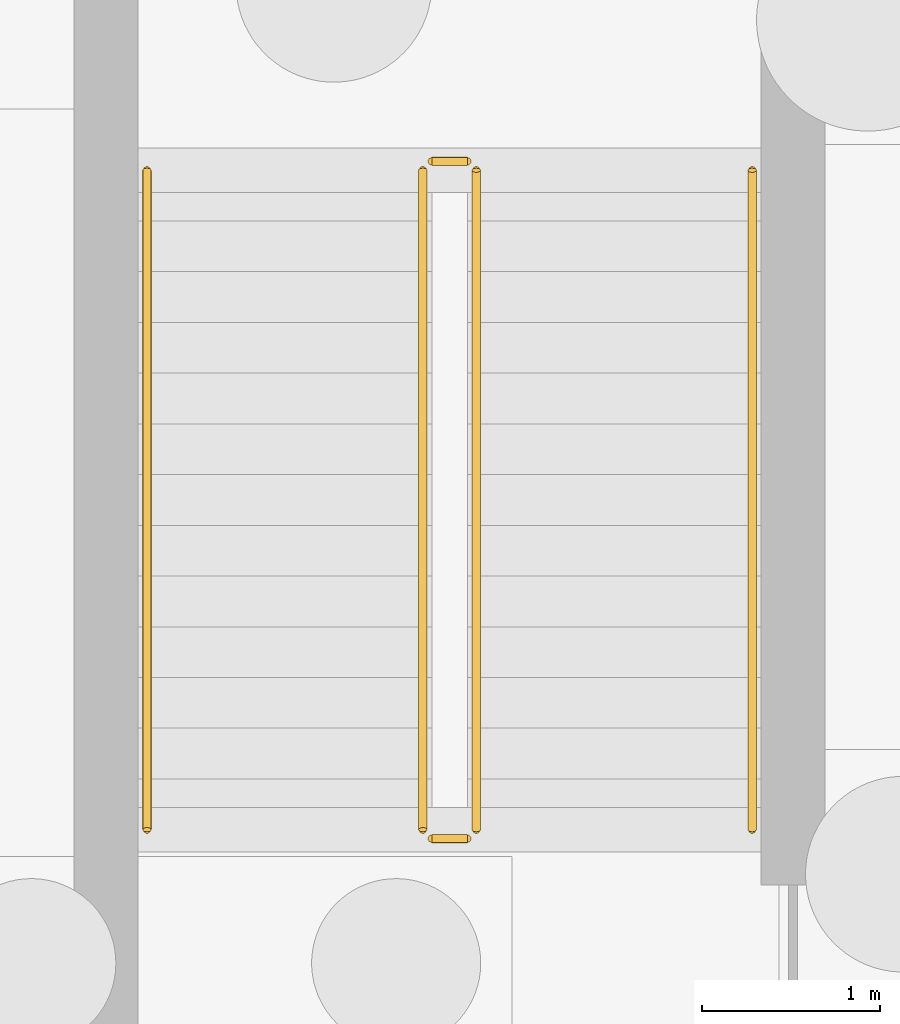
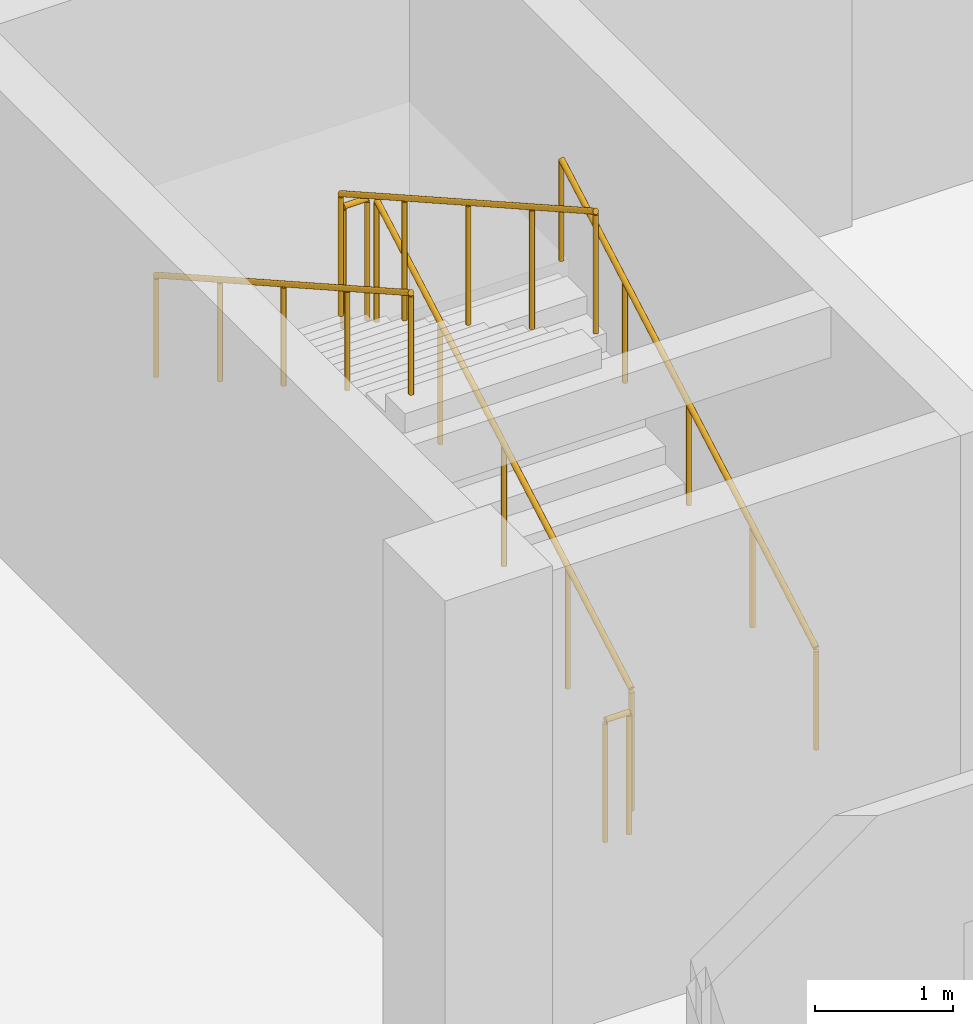
# One storey, part 23 of 25: 6 railings.
"""IFC4 building model written with IfcOpenShell, lengths in metres."""

import ifcopenshell
import ifcopenshell.guid

model = None  # the IFC model being written
_history = None  # IfcOwnerHistory: only IFC2X3 demands one
_inside = {}  # id of a spatial element -> (the spatial element, [elements in it])
_under = {}  # id of a project, library or spatial element -> (it, [spatial elements below it])
_declared = {}  # id of a project -> (the project, [libraries it declares])
_typed = {}  # id of a type object -> (the type object, [elements of that type])
_made_of = {}  # id of a material, layer set ... -> (it, [elements and type objects made of it])


def new_model(schema):
    """Start an empty IFC model of exactly this schema.

    Asked for "IFC4X3", IfcOpenShell would pick the latest addendum, in which some entities
    have other attributes; the version numbers below select the first issue.
    IFC2X3 requires an IfcOwnerHistory on every rooted entity: one is made here for all.
    """
    global model, _history
    if schema == "IFC4X3":
        model = ifcopenshell.file(schema_version=(4, 3, 0, 0))
    else:
        model = ifcopenshell.file(schema=schema)
    _inside.clear()
    _under.clear()
    _declared.clear()
    _typed.clear()
    _made_of.clear()
    _history = None
    if model.schema == "IFC2X3":
        org = make("IfcOrganization", Name="unknown")
        user = make(
            "IfcPersonAndOrganization",
            ThePerson=make("IfcPerson", FamilyName="unknown"),
            TheOrganization=org,
        )
        app = make(
            "IfcApplication",
            ApplicationDeveloper=org,
            Version="unknown",
            ApplicationFullName="unknown",
            ApplicationIdentifier="unknown",
        )
        _history = make(
            "IfcOwnerHistory",
            OwningUser=user,
            OwningApplication=app,
            ChangeAction="ADDED",
            CreationDate=0,
        )
    return model


def make(cls, **values):
    """One entity of the class cls with the attributes given. An attribute that is None is left unset."""
    return model.create_entity(
        cls, **{name: value for name, value in values.items() if value is not None}
    )


def rooted(cls, **values):
    """An entity with a GlobalId (a new one), such as an element, a storey or a relation."""
    return make(cls, GlobalId=ifcopenshell.guid.new(), OwnerHistory=_history, **values)


def si_unit(unit_type, name, prefix=None):
    """IfcSIUnit, for example si_unit("LENGTHUNIT", "METRE", prefix="MILLI")."""
    return make("IfcSIUnit", UnitType=unit_type, Prefix=prefix, Name=name)


def assignment(units):
    """IfcUnitAssignment: the units of a project."""
    return None if units is None else make("IfcUnitAssignment", Units=units)


def point(xyz):
    """IfcCartesianPoint."""
    return None if xyz is None else make("IfcCartesianPoint", Coordinates=xyz)


def direction(xyz):
    """IfcDirection."""
    return None if xyz is None else make("IfcDirection", DirectionRatios=xyz)


def frame(location, z_axis=None, x_axis=None):
    """IfcAxis2Placement3D, a coordinate frame: its origin and axes. An axis left out is left unset."""
    return make(
        "IfcAxis2Placement3D",
        Location=point(location),
        Axis=direction(z_axis),
        RefDirection=direction(x_axis),
    )


def frame_2d(location, x_axis=None):
    """IfcAxis2Placement2D, a coordinate frame in the plane: its origin and x axis."""
    return make(
        "IfcAxis2Placement2D", Location=point(location), RefDirection=direction(x_axis)
    )


def origin():
    """The frame at (0, 0, 0) with its axes left unset."""
    return frame((0.0, 0.0, 0.0))


def origin_2d():
    """The frame at (0, 0) in the plane with its x axis left unset."""
    return frame_2d((0.0, 0.0))


def place(relative_to, where):
    """IfcLocalPlacement: puts the frame where relative to a parent placement (None: the world)."""
    return make(
        "IfcLocalPlacement", PlacementRelTo=relative_to, RelativePlacement=where
    )


def context(
    kind, dimensions, precision=None, world=None, true_north=None, identifier=None
):
    """IfcGeometricRepresentationContext, for example the 3D "Model" context."""
    return make(
        "IfcGeometricRepresentationContext",
        ContextIdentifier=identifier,
        ContextType=kind,
        CoordinateSpaceDimension=dimensions,
        Precision=precision,
        WorldCoordinateSystem=world,
        TrueNorth=true_north,
    )


def subcontext(parent, identifier, kind, view, scale=None):
    """IfcGeometricRepresentationSubContext, for example "Body" below "Model"."""
    return make(
        "IfcGeometricRepresentationSubContext",
        ContextIdentifier=identifier,
        ContextType=kind,
        ParentContext=parent,
        TargetScale=scale,
        TargetView=view,
    )


def project(units=None, contexts=None):
    """IfcProject with its units and contexts."""
    return rooted(
        "IfcProject",
        Name="project",
        RepresentationContexts=contexts,
        UnitsInContext=assignment(units),
    )


def spatial(cls, under=None, at=None, **own):
    """A site, building, storey or space (cls), placed at a placement, below another one or the project."""
    s = rooted(cls, ObjectPlacement=at, **own)
    if under is not None:
        _under.setdefault(under.id(), (under, []))[1].append(s)
    return s


def profile(cls, at=None, kind="AREA", **sizes):
    """A parametric profile (cls). Its sizes go by their IFC names, for example OverallWidth=200.0."""
    return make(cls, ProfileType=kind, Position=at, **sizes)


def circle(**sizes):
    """IfcCircleProfileDef."""
    return profile("IfcCircleProfileDef", **sizes)


def extrude(swept, where, along, depth):
    """IfcExtrudedAreaSolid: the profile swept, set in the frame where, extruded along a direction by depth."""
    return make(
        "IfcExtrudedAreaSolid",
        SweptArea=swept,
        Position=where,
        ExtrudedDirection=direction(along),
        Depth=depth,
    )


def shape(context_of_items, identifier, shape_type, items):
    """IfcShapeRepresentation: the items that make up one representation, for example the "Body"."""
    return make(
        "IfcShapeRepresentation",
        ContextOfItems=context_of_items,
        RepresentationIdentifier=identifier,
        RepresentationType=shape_type,
        Items=items,
    )


def material(Name=None, Category=None):
    """IfcMaterial."""
    return make("IfcMaterial", Name=Name, Category=Category)


def made_of(thing, what):
    """Note that an element or type object is made of a material, layer set ...; save() writes the relation."""
    if what is not None:
        _made_of.setdefault(what.id(), (what, []))[1].append(thing)
    return thing


def type_object(cls, material=None, **own):
    """A type object (cls), such as IfcWallType, which elements share."""
    return made_of(rooted(cls, **own), material)


def element(
    cls,
    number,
    at=None,
    inside=None,
    cuts=None,
    type_object=None,
    material=None,
    context=None,
    identifier="Body",
    shape_type=None,
    held_by="IfcProductDefinitionShape",
    body=None,
    shapes=None,
    **own,
):
    """One element of the class cls, such as IfcWall. Its Tag is "e" and its number.

    at: its placement. inside: the storey or other place that contains it. cuts: it is an
    opening in that element (IfcRelVoidsElement). A single representation is given by context,
    identifier, shape_type and body (its items); several are given by shapes. held_by: the class
    of the entity that holds the representations. save() writes the other relations.
    """
    e = rooted(cls, Tag="e%d" % number, ObjectPlacement=at, **own)
    if body is not None:
        shapes = [shape(context, identifier, shape_type, body)]
    if shapes is not None:
        e.Representation = make(held_by, Representations=shapes)
    if inside is not None:
        _inside.setdefault(inside.id(), (inside, []))[1].append(e)
    if cuts is not None:
        rooted(
            "IfcRelVoidsElement", RelatingBuildingElement=cuts, RelatedOpeningElement=e
        )
    if type_object is not None:
        _typed.setdefault(type_object.id(), (type_object, []))[1].append(e)
    return made_of(e, material)


def aggregate(whole, parts):
    """IfcRelAggregates: a whole, such as a stair, and the parts it consists of."""
    return rooted("IfcRelAggregates", RelatingObject=whole, RelatedObjects=parts)


def save(model, path):
    """Write the relations noted so far, then the file.

    IfcRelAggregates (storeys below a building ...), IfcRelContainedInSpatialStructure (elements
    in a storey), IfcRelDefinesByType, IfcRelAssociatesMaterial and IfcRelDeclares: one each for
    every whole, place, type object, material and project.
    """
    for whole, parts in _under.values():
        aggregate(whole, parts)
    for where, things in _inside.values():
        rooted(
            "IfcRelContainedInSpatialStructure",
            RelatedElements=things,
            RelatingStructure=where,
        )
    for kind, things in _typed.values():
        rooted("IfcRelDefinesByType", RelatedObjects=things, RelatingType=kind)
    for what, things in _made_of.values():
        rooted("IfcRelAssociatesMaterial", RelatedObjects=things, RelatingMaterial=what)
    for by, libraries in _declared.values():
        rooted("IfcRelDeclares", RelatingContext=by, RelatedDefinitions=libraries)
    model.write(path)


model = new_model("IFC4")

# Units and contexts
model_context = context("Model", 3, precision=1e-05, world=origin(), true_north=direction((0.0, 1.0)))
body_context = subcontext(model_context, "Body", "Model", "MODEL_VIEW")
ifc_project = project(units=[si_unit("LENGTHUNIT", "METRE"), si_unit("AREAUNIT", "SQUARE_METRE"), si_unit("VOLUMEUNIT", "CUBIC_METRE"), si_unit("PLANEANGLEUNIT", "RADIAN"), si_unit("MASSUNIT", "GRAM", prefix="KILO")], contexts=[model_context])

# Site, building, storey
site_placement = place(None, origin())
site = spatial("IfcSite", under=ifc_project, at=site_placement, CompositionType="ELEMENT")
building_placement = place(site_placement, origin())
building = spatial("IfcBuilding", under=site, at=building_placement, Name="Qaldarim Faculty of Natural and Applied Sciences", CompositionType="ELEMENT")
storey_placement = place(building_placement, frame((0.0, 0.0, -4.5)))
storey = spatial("IfcBuildingStorey", under=building, at=storey_placement, Name="B01", CompositionType="ELEMENT", Elevation=-4.5)

# Railings
ifc_material = material(Name="Architectural stainless steel 316", Category="steel")
railing_type_1 = type_object("IfcRailingType", Name="GuardBalustrade-1100", PredefinedType="BALUSTRADE", material=ifc_material)
railing_1_placement = place(storey_placement, frame((167.5, 18.75, 0.159912109375)))
element("IfcRailing", 1, at=railing_1_placement, inside=storey, type_object=railing_type_1, Name="ST-A1 B01 stair well guard 1", PredefinedType="BALUSTRADE", context=body_context, shape_type="SweptSolid", body=[
    extrude(circle(Radius=0.02392578125, at=origin_2d()), frame((0.0, 0.0, 1.076171875), z_axis=(0.0, 0.870974059579, 0.491329001322), x_axis=(-1.0, 0.0, 0.0)), (0.0, 0.0, 1.0), 4.25390625),
    extrude(circle(Radius=0.02099609375, at=origin_2d()), origin(), (0.0, 0.0, 1.0), 1.052001953125),
    extrude(circle(Radius=0.02099609375, at=origin_2d()), frame((0.0, 0.92626953125, 0.5224609375)), (0.0, 0.0, 1.0), 1.052001953125),
    extrude(circle(Radius=0.02099609375, at=origin_2d()), frame((0.0, 1.8525390625, 1.044921875)), (0.0, 0.0, 1.0), 1.052001953125),
    extrude(circle(Radius=0.02099609375, at=origin_2d()), frame((0.0, 2.77880859375, 1.567626953125)), (0.0, 0.0, 1.0), 1.052001953125),
    extrude(circle(Radius=0.02099609375, at=origin_2d()), frame((0.0, 3.705078125, 2.090087890625)), (0.0, 0.0, 1.0), 1.052001953125),
])
railing_2_placement = place(storey_placement, frame((167.449951171875, 22.5048828125, 2.25)))
element("IfcRailing", 2, at=railing_2_placement, inside=storey, type_object=railing_type_1, Name="ST-A1 B01 stair well guard 2", PredefinedType="BALUSTRADE", context=body_context, shape_type="SweptSolid", body=[
    extrude(circle(Radius=0.02392578125, at=origin_2d()), frame((0.0, 0.0, 1.076171875), z_axis=(-1.0, 0.0, 0.0), x_axis=(0.0, -1.0, 0.0)), (0.0, 0.0, 1.0), 0.199951171875),
    extrude(circle(Radius=0.02099609375, at=origin_2d()), origin(), (0.0, 0.0, 1.0), 1.052001953125),
    extrude(circle(Radius=0.02099609375, at=origin_2d()), frame((-0.199951171875, 0.0, 0.0)), (0.0, 0.0, 1.0), 1.052001953125),
])
railing_3_placement = place(storey_placement, frame((167.199951171875, 22.455078125, 2.409912109375)))
element("IfcRailing", 3, at=railing_3_placement, inside=storey, type_object=railing_type_1, Name="ST-A1 B01 stair well guard 3", PredefinedType="BALUSTRADE", context=body_context, shape_type="SweptSolid", body=[
    extrude(circle(Radius=0.02392578125, at=origin_2d()), frame((0.0, 0.0, 1.076171875), z_axis=(0.0, -0.870974059579, 0.491329001322), x_axis=(1.0, 0.0, 0.0)), (0.0, 0.0, 1.0), 4.25390625),
    extrude(circle(Radius=0.02099609375, at=origin_2d()), origin(), (0.0, 0.0, 1.0), 1.052001953125),
    extrude(circle(Radius=0.02099609375, at=origin_2d()), frame((0.0, -0.92626953125, 0.5224609375)), (0.0, 0.0, 1.0), 1.052001953125),
    extrude(circle(Radius=0.02099609375, at=origin_2d()), frame((0.0, -1.8525390625, 1.044921875)), (0.0, 0.0, 1.0), 1.052001953125),
    extrude(circle(Radius=0.02099609375, at=origin_2d()), frame((0.0, -2.77880859375, 1.567626953125)), (0.0, 0.0, 1.0), 1.052001953125),
    extrude(circle(Radius=0.02099609375, at=origin_2d()), frame((0.0, -3.705078125, 2.090087890625)), (0.0, 0.0, 1.0), 1.052001953125),
])
railing_4_placement = place(storey_placement, frame((167.449951171875, 18.699951171875, 0.0)))
element("IfcRailing", 4, at=railing_4_placement, inside=storey, type_object=railing_type_1, Name="ST-A1 B01 stair well guard 4", PredefinedType="BALUSTRADE", context=body_context, shape_type="SweptSolid", body=[
    extrude(circle(Radius=0.02392578125, at=origin_2d()), frame((0.0, 0.0, 1.076171875), z_axis=(-1.0, 0.0, 0.0), x_axis=(0.0, -1.0, 0.0)), (0.0, 0.0, 1.0), 0.199951171875),
    extrude(circle(Radius=0.02099609375, at=origin_2d()), origin(), (0.0, 0.0, 1.0), 1.052001953125),
    extrude(circle(Radius=0.02099609375, at=origin_2d()), frame((-0.199951171875, 0.0, 0.0)), (0.0, 0.0, 1.0), 1.052001953125),
])
railing_type_2 = type_object("IfcRailingType", Name="StairHandrail-920", PredefinedType="HANDRAIL", material=ifc_material)
railing_5_placement = place(storey_placement, frame((169.050048828125, 18.75, 0.159912109375)))
element("IfcRailing", 5, at=railing_5_placement, inside=storey, type_object=railing_type_2, Name="ST-A1 B01 stair handrail 1", PredefinedType="HANDRAIL", context=body_context, shape_type="SweptSolid", body=[
    extrude(circle(Radius=0.02392578125, at=origin_2d()), frame((0.0, 0.0, 0.89599609375), z_axis=(0.0, 0.870974059579, 0.491329001322), x_axis=(-1.0, 0.0, 0.0)), (0.0, 0.0, 1.0), 4.25390625),
    extrude(circle(Radius=0.02099609375, at=origin_2d()), origin(), (0.0, 0.0, 1.0), 0.871826171875),
    extrude(circle(Radius=0.02099609375, at=origin_2d()), frame((0.0, 0.92626953125, 0.5224609375)), (0.0, 0.0, 1.0), 0.871826171875),
    extrude(circle(Radius=0.02099609375, at=origin_2d()), frame((0.0, 1.8525390625, 1.044921875)), (0.0, 0.0, 1.0), 0.871826171875),
    extrude(circle(Radius=0.02099609375, at=origin_2d()), frame((0.0, 2.77880859375, 1.567626953125)), (0.0, 0.0, 1.0), 0.871826171875),
    extrude(circle(Radius=0.02099609375, at=origin_2d()), frame((0.0, 3.705078125, 2.090087890625)), (0.0, 0.0, 1.0), 0.871826171875),
])
railing_6_placement = place(storey_placement, frame((165.64990234375, 22.455078125, 2.409912109375)))
element("IfcRailing", 6, at=railing_6_placement, inside=storey, type_object=railing_type_2, Name="ST-A1 B01 stair handrail 2", PredefinedType="HANDRAIL", context=body_context, shape_type="SweptSolid", body=[
    extrude(circle(Radius=0.02392578125, at=origin_2d()), frame((0.0, 0.0, 0.89599609375), z_axis=(0.0, -0.870974059579, 0.491329001322), x_axis=(1.0, 0.0, 0.0)), (0.0, 0.0, 1.0), 4.25390625),
    extrude(circle(Radius=0.02099609375, at=origin_2d()), origin(), (0.0, 0.0, 1.0), 0.871826171875),
    extrude(circle(Radius=0.02099609375, at=origin_2d()), frame((0.0, -0.92626953125, 0.5224609375)), (0.0, 0.0, 1.0), 0.871826171875),
    extrude(circle(Radius=0.02099609375, at=origin_2d()), frame((0.0, -1.8525390625, 1.044921875)), (0.0, 0.0, 1.0), 0.871826171875),
    extrude(circle(Radius=0.02099609375, at=origin_2d()), frame((0.0, -2.77880859375, 1.567626953125)), (0.0, 0.0, 1.0), 0.871826171875),
    extrude(circle(Radius=0.02099609375, at=origin_2d()), frame((0.0, -3.705078125, 2.090087890625)), (0.0, 0.0, 1.0), 0.871826171875),
])

save(model, "model.ifc")
